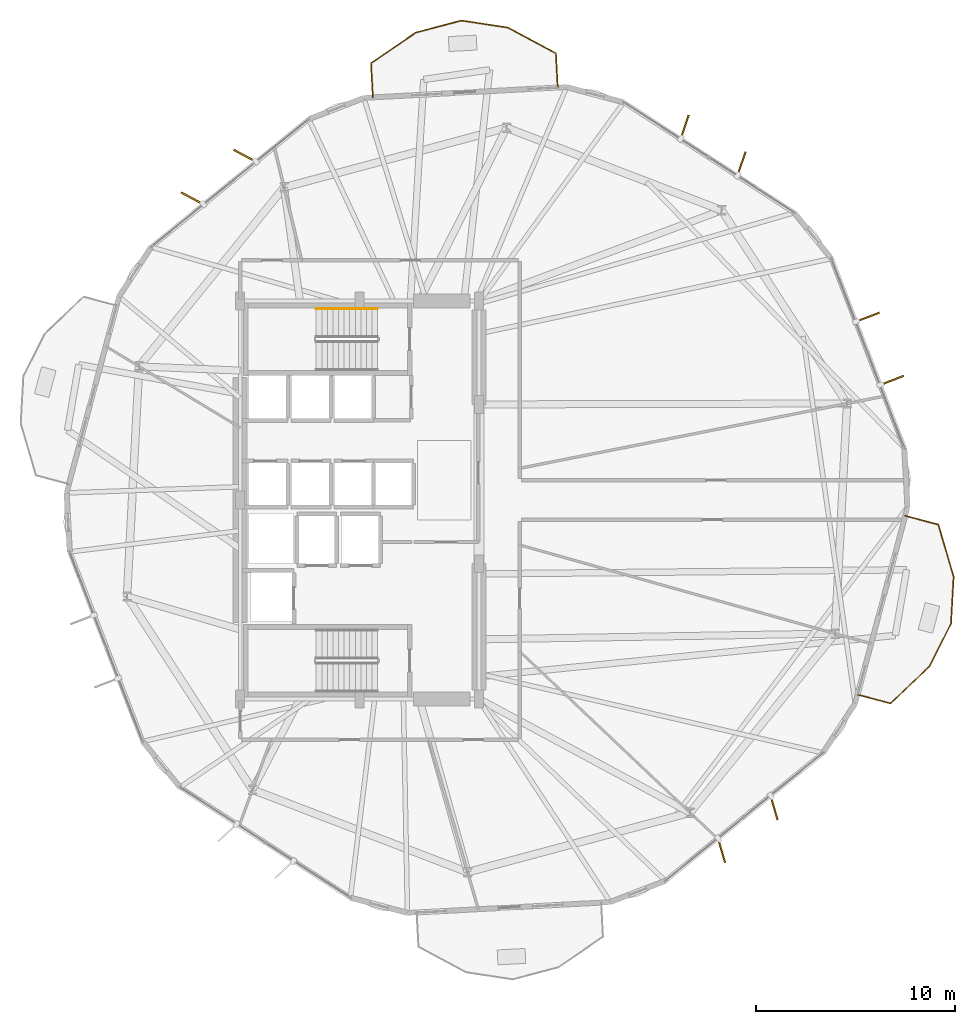
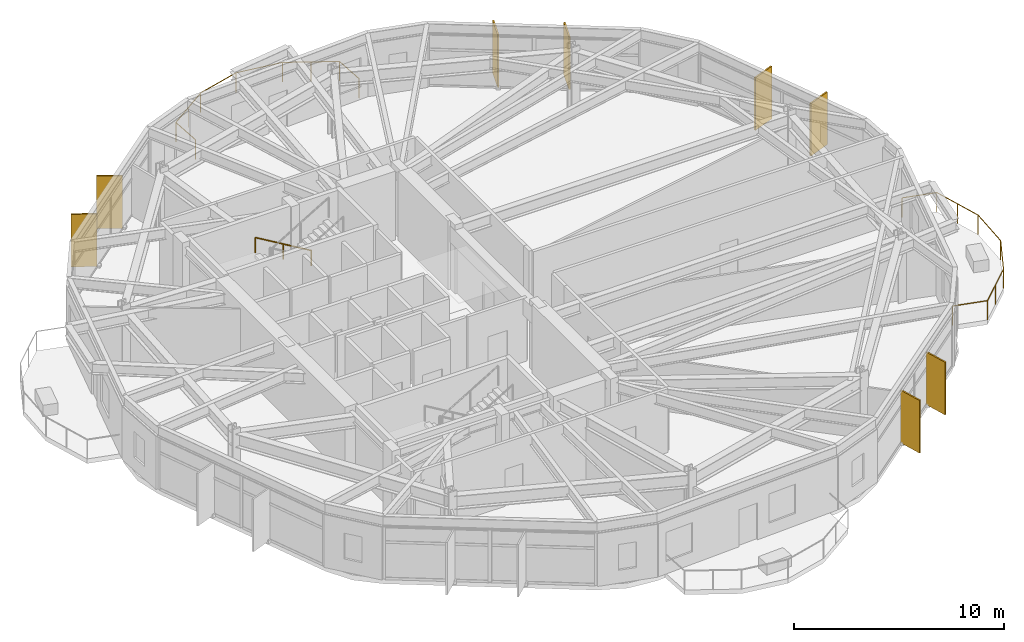
# One storey, part 23 of 23: 8 shading devices, 3 railings.
"""IFC4 building model written with IfcOpenShell, lengths in metres."""

from ifc_helpers import new_model, si_unit, direction, frame, origin, origin_2d, place, context, subcontext, project, spatial, rectangle, circle, extrude, material, layer, layer_set, type_object, element, save


model = new_model("IFC4")

# Units and contexts
model_context = context("Model", 3, precision=1e-05, world=origin(), true_north=direction((0.0, 1.0)))
body_context = subcontext(model_context, "Body", "Model", "MODEL_VIEW")
ifc_project = project(units=[si_unit("LENGTHUNIT", "METRE"), si_unit("AREAUNIT", "SQUARE_METRE"), si_unit("VOLUMEUNIT", "CUBIC_METRE"), si_unit("PLANEANGLEUNIT", "RADIAN"), si_unit("MASSUNIT", "GRAM", prefix="KILO")], contexts=[model_context])

# Site, building, storey
site_placement = place(None, origin())
site = spatial("IfcSite", under=ifc_project, at=site_placement, CompositionType="ELEMENT")
building_placement = place(site_placement, origin())
building = spatial("IfcBuilding", under=site, at=building_placement, Name="Soratama Intermodal Tower", CompositionType="ELEMENT")
storey_placement = place(building_placement, frame((0.0, 0.0, 38.60009765625)))
storey = spatial("IfcBuildingStorey", under=building, at=storey_placement, Name="L08", CompositionType="ELEMENT", Elevation=38.60009765625)

# Railings
ifc_material_1 = material(Name="Laminated glass and stainless steel balustrade", Category="steel")
railing_type_1 = type_object("IfcRailingType", Name="RL-BAL-1150", PredefinedType="BALUSTRADE", material=ifc_material_1)
railing_1_placement = place(storey_placement, frame((66.004150390625, 24.208740234375, 0.0)))
element("IfcRailing", 1, at=railing_1_placement, inside=storey, type_object=railing_type_1, Name="L08 Balcony Balustrade 1", PredefinedType="BALUSTRADE", context=body_context, shape_type="SweptSolid", body=[
    extrude(circle(Radius=0.02392578125, at=origin_2d()), frame((0.0, 0.0, 1.1259765625), z_axis=(0.966206662961, -0.257768664601, 0.0), x_axis=(0.257768664601, 0.966206662961, 0.0)), (0.0, 0.0, 1.0), 1.719970703125),
    extrude(circle(Radius=0.02392578125, at=origin_2d()), frame((1.661865234375, -0.443359375, 1.1259765625), z_axis=(0.282069207997, -0.959394059759, 0.0), x_axis=(0.959394059759, 0.282069207997, 0.0)), (0.0, 0.0, 1.0), 2.72216796875),
    extrude(circle(Radius=0.02392578125, at=origin_2d()), frame((2.4296875, -3.054931640625, 1.1259765625), z_axis=(-0.055196761553, -0.998475496702, 0.0), x_axis=(0.998475496702, -0.055196761553, 0.0)), (0.0, 0.0, 1.0), 2.375244140625),
    extrude(circle(Radius=0.02392578125, at=origin_2d()), frame((2.298583984375, -5.426513671875, 1.1259765625), z_axis=(-0.449555422217, -0.893252440442, 0.0), x_axis=(0.893252440442, -0.449555422217, 0.0)), (0.0, 0.0, 1.0), 2.37548828125),
    extrude(circle(Radius=0.02392578125, at=origin_2d()), frame((1.230712890625, -7.54833984375, 1.1259765625), z_axis=(-0.722540561073, -0.691328530877, 0.0), x_axis=(0.691328530877, -0.722540561073, 0.0)), (0.0, 0.0, 1.0), 2.72216796875),
    extrude(circle(Radius=0.02392578125, at=origin_2d()), frame((-0.736083984375, -9.43017578125, 1.1259765625), z_axis=(-0.966171303133, 0.25790116906, 0.0), x_axis=(-0.25790116906, -0.966171303133, 0.0)), (0.0, 0.0, 1.0), 1.719970703125),
    extrude(circle(Radius=0.02099609375, at=origin_2d()), origin(), (0.0, 0.0, 1.0), 1.101806640625),
    extrude(circle(Radius=0.02099609375, at=origin_2d()), frame((1.661865234375, -0.443359375, 0.0)), (0.0, 0.0, 1.0), 1.101806640625),
    extrude(circle(Radius=0.02099609375, at=origin_2d()), frame((2.0458984375, -1.7490234375, 0.0)), (0.0, 0.0, 1.0), 1.101806640625),
    extrude(circle(Radius=0.02099609375, at=origin_2d()), frame((2.4296875, -3.054931640625, 0.0)), (0.0, 0.0, 1.0), 1.101806640625),
    extrude(circle(Radius=0.02099609375, at=origin_2d()), frame((2.298583984375, -5.426513671875, 0.0)), (0.0, 0.0, 1.0), 1.101806640625),
    extrude(circle(Radius=0.02099609375, at=origin_2d()), frame((1.230712890625, -7.54833984375, 0.0)), (0.0, 0.0, 1.0), 1.101806640625),
    extrude(circle(Radius=0.02099609375, at=origin_2d()), frame((0.247314453125, -8.4892578125, 0.0)), (0.0, 0.0, 1.0), 1.101806640625),
    extrude(circle(Radius=0.02099609375, at=origin_2d()), frame((-0.736083984375, -9.43017578125, 0.0)), (0.0, 0.0, 1.0), 1.101806640625),
    extrude(circle(Radius=0.02099609375, at=origin_2d()), frame((-2.39794921875, -8.986572265625, 0.0)), (0.0, 0.0, 1.0), 1.101806640625),
])
railing_2_placement = place(storey_placement, frame((39.261962890625, 45.220458984375, 0.0)))
element("IfcRailing", 2, at=railing_2_placement, inside=storey, type_object=railing_type_1, Name="L08 Balcony Balustrade 2", PredefinedType="BALUSTRADE", context=body_context, shape_type="SweptSolid", body=[
    extrude(circle(Radius=0.02392578125, at=origin_2d()), frame((0.0, 0.0, 1.1259765625), z_axis=(-0.053512413431, 0.998567184324, 0.0), x_axis=(-0.998567184324, -0.053512413431, 0.0)), (0.0, 0.0, 1.0), 1.719970703125),
    extrude(circle(Radius=0.02392578125, at=origin_2d()), frame((-0.092041015625, 1.717529296875, 1.1259765625), z_axis=(0.825269863009, 0.564738570677, 0.0), x_axis=(-0.564738570677, 0.825269863009, 0.0)), (0.0, 0.0, 1.0), 2.72216796875),
    extrude(circle(Radius=0.02392578125, at=origin_2d()), frame((2.154541015625, 3.2548828125, 1.1259765625), z_axis=(0.966661836648, 0.25605642653, 0.0), x_axis=(-0.25605642653, 0.966661836648, 0.0)), (0.0, 0.0, 1.0), 2.375),
    extrude(circle(Radius=0.02392578125, at=origin_2d()), frame((4.450439453125, 3.863037109375, 1.1259765625), z_axis=(0.988457094084, -0.151501066516, 0.0), x_axis=(0.151501066516, 0.988457094084, 0.0)), (0.0, 0.0, 1.0), 2.375244140625),
    extrude(circle(Radius=0.02392578125, at=origin_2d()), frame((6.79833984375, 3.503173828125, 1.1259765625), z_axis=(0.880779045809, -0.473527478044, 0.0), x_axis=(0.473527478044, 0.880779045809, 0.0)), (0.0, 0.0, 1.0), 2.72216796875),
    extrude(circle(Radius=0.02392578125, at=origin_2d()), frame((9.196044921875, 2.214111328125, 1.1259765625), z_axis=(0.053370875543, -0.998574759166, 0.0), x_axis=(0.998574759166, 0.053370875543, 0.0)), (0.0, 0.0, 1.0), 1.719970703125),
    extrude(circle(Radius=0.02099609375, at=origin_2d()), origin(), (0.0, 0.0, 1.0), 1.101806640625),
    extrude(circle(Radius=0.02099609375, at=origin_2d()), frame((-0.092041015625, 1.717529296875, 0.0)), (0.0, 0.0, 1.0), 1.101806640625),
    extrude(circle(Radius=0.02099609375, at=origin_2d()), frame((1.03125, 2.486328125, 0.0)), (0.0, 0.0, 1.0), 1.101806640625),
    extrude(circle(Radius=0.02099609375, at=origin_2d()), frame((2.154541015625, 3.2548828125, 0.0)), (0.0, 0.0, 1.0), 1.101806640625),
    extrude(circle(Radius=0.02099609375, at=origin_2d()), frame((4.450439453125, 3.863037109375, 0.0)), (0.0, 0.0, 1.0), 1.101806640625),
    extrude(circle(Radius=0.02099609375, at=origin_2d()), frame((6.79833984375, 3.503173828125, 0.0)), (0.0, 0.0, 1.0), 1.101806640625),
    extrude(circle(Radius=0.02099609375, at=origin_2d()), frame((7.9970703125, 2.858642578125, 0.0)), (0.0, 0.0, 1.0), 1.101806640625),
    extrude(circle(Radius=0.02099609375, at=origin_2d()), frame((9.196044921875, 2.214111328125, 0.0)), (0.0, 0.0, 1.0), 1.101806640625),
    extrude(circle(Radius=0.02099609375, at=origin_2d()), frame((9.287841796875, 0.49658203125, 0.0)), (0.0, 0.0, 1.0), 1.101806640625),
])
ifc_material_2 = material(Name="Brushed stainless steel handrail", Category="steel")
railing_type_2 = type_object("IfcRailingType", Name="RL-STAIR-HAND", PredefinedType="HANDRAIL", material=ifc_material_2)
railing_3_placement = place(storey_placement, frame((39.5, 34.60009765625, 0.16650390625)))
element("IfcRailing", 3, at=railing_3_placement, inside=storey, type_object=railing_type_2, Name="L08 ST-2 stair handrail 1", PredefinedType="HANDRAIL", context=body_context, shape_type="SweptSolid", body=[
    extrude(circle(Radius=0.02392578125, at=origin_2d()), frame((0.0, 0.0, 0.8759765625), z_axis=(-0.85927862911, 0.0, 0.511507807912), x_axis=(0.0, -1.0, 0.0)), (0.0, 0.0, 1.0), 3.58447265625),
    extrude(circle(Radius=0.02099609375, at=origin_2d()), origin(), (0.0, 0.0, 1.0), 0.851806640625),
    extrude(circle(Radius=0.02099609375, at=origin_2d()), frame((-1.5400390625, 0.0, 0.916748046875)), (0.0, 0.0, 1.0), 0.851806640625),
    extrude(circle(Radius=0.02099609375, at=origin_2d()), frame((-3.080078125, 0.0, 1.83349609375)), (0.0, 0.0, 1.0), 0.851806640625),
])

# Shading devices
ifc_material_3 = material(Name="Champagne anodised aluminium solar fin", Category="aluminium")
ifc_layer = layer(ifc_material_3, 0.080078125)
ifc_layer_set = layer_set([ifc_layer], Name="Champagne anodised aluminium solar fin")
shading_device_type = type_object("IfcShadingDeviceType", Name="SH-FIN-1250", PredefinedType="USERDEFINED", material=ifc_layer_set)
for number, where, z_axis, x_axis, name in (
    (4, (65.341796875, 31.010986328125, 0.019775390625), (0.0, 0.0, 1.0), (0.933204632634, 0.359345396006, 0.0), "L08 Solar Fin F01-1"),
    (5, (64.119873046875, 34.184326171875, 0.019775390625), (0.0, 0.0, 1.0), (0.933204632634, 0.359345396006, 0.0), "L08 Solar Fin F01-2"),
    (6, (57.781005859375, 41.888916015625, 0.019775390625), (0.0, 0.0, 1.0), (0.322761315426, 0.946480392435, 0.0), "L08 Solar Fin F02-1"),
    (7, (54.92724609375, 43.73779296875, 0.019775390625), (0.0, 0.0, 1.0), (0.322761315426, 0.946480392435, 0.0), "L08 Solar Fin F02-2"),
    (8, (32.834716796875, 42.291748046875, 0.019775390625), (0.0, 0.0, 1.0), (-0.882044645501, 0.471165834227, 0.0), "L08 Solar Fin F04-1"),
    (9, (30.1943359375, 40.14892578125, 0.019775390625), (0.0, 0.0, 1.0), (-0.882044645501, 0.471165834227, 0.0), "L08 Solar Fin F04-2"),
    (10, (56.776611328125, 7.392822265625, 0.019775390625), (0.0, 0.0, 1.0), (0.279493876371, -0.960147474647, 0.0), "L08 Solar Fin F09-1"),
    (11, (59.4169921875, 9.53564453125, 0.019775390625), (0.0, 0.0, 1.0), (0.279493876371, -0.960147474647, 0.0), "L08 Solar Fin F09-2"),
):
    element("IfcShadingDevice", number, at=place(storey_placement, frame(where, z_axis=z_axis, x_axis=x_axis)), inside=storey, type_object=shading_device_type, Name=name, ObjectType="FIN", PredefinedType="USERDEFINED", context=body_context, shape_type="SweptSolid", body=[
        extrude(rectangle(XDim=1.25, YDim=0.080078125, at=origin_2d()), origin(), (0.0, 0.0, 1.0), 3.05908203125),
    ])

save(model, "model.ifc")
